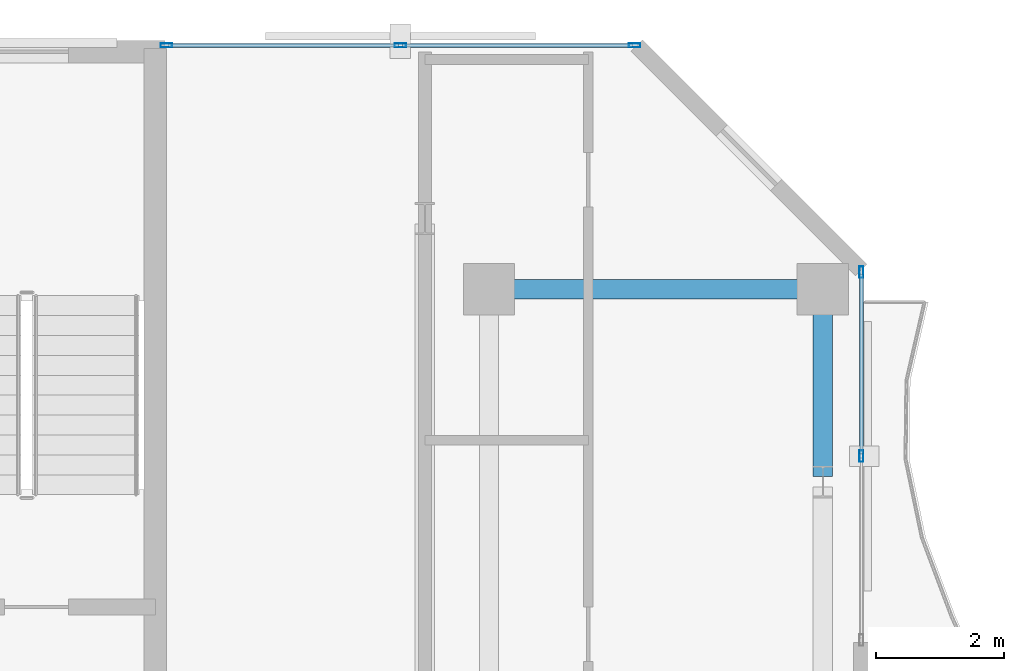
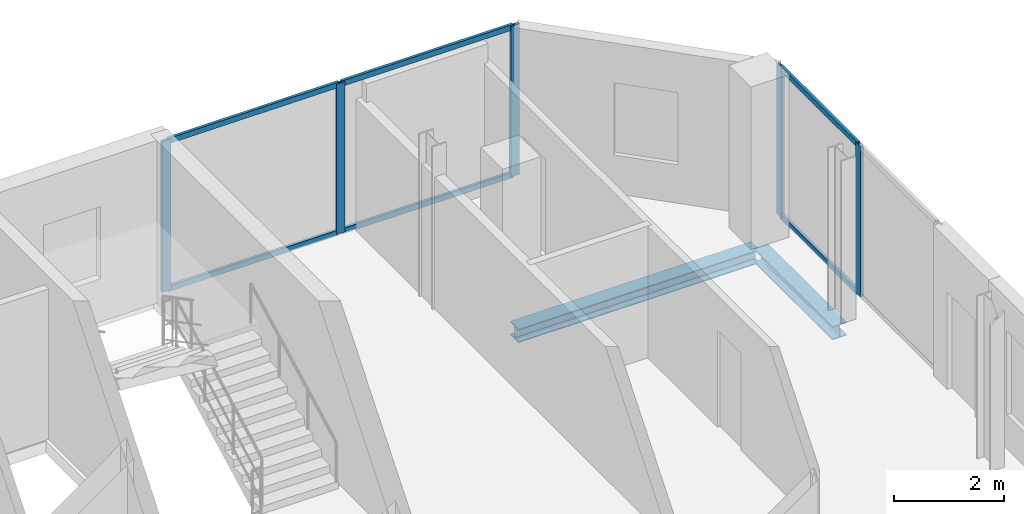
# One storey, part 16 of 23: 11 members, 2 beams, 2 elements without a shape of their own.
"""IFC4 building model written with IfcOpenShell, lengths in metres."""

from ifc_helpers import new_model, si_unit, direction, frame, origin, origin_2d, place, context, subcontext, project, spatial, hollow_rectangle, i_section, extrude, material, layer, layer_set, material_profile, profile_set, type_object, element, aggregate, save


model = new_model("IFC4")

# Units and contexts
model_context = context("Model", 3, precision=1e-05, world=origin(), true_north=direction((0.0, 1.0)))
body_context = subcontext(model_context, "Body", "Model", "MODEL_VIEW")
ifc_project = project(units=[si_unit("LENGTHUNIT", "METRE"), si_unit("AREAUNIT", "SQUARE_METRE"), si_unit("VOLUMEUNIT", "CUBIC_METRE"), si_unit("PLANEANGLEUNIT", "RADIAN"), si_unit("MASSUNIT", "GRAM", prefix="KILO")], contexts=[model_context])

# Site, building, storey
site_placement = place(None, origin())
site = spatial("IfcSite", under=ifc_project, at=site_placement, CompositionType="ELEMENT")
building_placement = place(site_placement, origin())
building = spatial("IfcBuilding", under=site, at=building_placement, Name="Catumbela Crestline Tower", CompositionType="ELEMENT")
storey_placement = place(building_placement, frame((0.0, 0.0, 190.2)))
storey = spatial("IfcBuildingStorey", under=building, at=storey_placement, Name="L49", CompositionType="ELEMENT", Elevation=190.2)

# Curtain wall, members
ifc_material_1 = material(Name="Aluminium alloy AW-6060-T66", Category="aluminium")
ifc_layer = layer(ifc_material_1, 0.18, Name="Aluminium alloy AW-6060-T66")
ifc_layer_set = layer_set([ifc_layer], Name="Aluminium alloy AW-6060-T66")
curtain_wall_type = type_object("IfcCurtainWallType", Name="CWU-Z3", PredefinedType="USERDEFINED", material=ifc_layer_set)
curtain_wall_1_placement = place(storey_placement, origin())
curtain_wall_1 = element("IfcCurtainWall", 1, at=curtain_wall_1_placement, inside=storey, type_object=curtain_wall_type, Name="L49 Unitised Curtain Wall CW-L49-E5S2", ObjectType="UNITISED", PredefinedType="USERDEFINED")
ifc_material_profile_1 = material_profile(ifc_material_1, hollow_rectangle(XDim=0.065, YDim=0.18, WallThickness=0.004, at=origin_2d()), Name="ALU 180x65x4")
ifc_profile_set_1 = profile_set([ifc_material_profile_1], Name="Aluminium alloy AW-6060-T66")
member_type_1 = type_object("IfcMemberType", Name="MUL-180X65", PredefinedType="MULLION", material=ifc_profile_set_1)
member_1_placement = place(storey_placement, frame((51.0, 36.6, 0.0), z_axis=(0.0, 0.0, 1.0), x_axis=(-1.0, 0.0, 0.0)))
member_1 = element("IfcMember", 2, at=member_1_placement, type_object=member_type_1, Name="CWU-Z3 mullion 2", PredefinedType="MULLION", context=body_context, shape_type="SweptSolid", body=[
    extrude(hollow_rectangle(XDim=0.065, YDim=0.18, WallThickness=0.004, at=origin_2d()), origin(), (0.0, 0.0, 1.0), 3.33),
])
member_2_placement = place(storey_placement, frame((51.0, 39.4675, 0.0), z_axis=(0.0, 0.0, 1.0), x_axis=(-1.0, 0.0, 0.0)))
member_2 = element("IfcMember", 3, at=member_2_placement, type_object=member_type_1, Name="CWU-Z3 mullion 3", PredefinedType="MULLION", context=body_context, shape_type="SweptSolid", body=[
    extrude(hollow_rectangle(XDim=0.065, YDim=0.18, WallThickness=0.004, at=origin_2d()), origin(), (0.0, 0.0, 1.0), 3.33),
])

curtain_wall_2_placement = place(storey_placement, origin())
curtain_wall_2 = element("IfcCurtainWall", 4, at=curtain_wall_2_placement, inside=storey, type_object=curtain_wall_type, Name="L49 Unitised Curtain Wall CW-L49-E7S1", ObjectType="UNITISED", PredefinedType="USERDEFINED")
member_3_placement = place(storey_placement, frame((47.4675, 43.0, 0.0), z_axis=(0.0, 0.0, 1.0), x_axis=(0.0, -1.0, 0.0)))
member_3 = element("IfcMember", 5, at=member_3_placement, type_object=member_type_1, Name="CWU-Z3 mullion 1", PredefinedType="MULLION", context=body_context, shape_type="SweptSolid", body=[
    extrude(hollow_rectangle(XDim=0.065, YDim=0.18, WallThickness=0.004, at=origin_2d()), origin(), (0.0, 0.0, 1.0), 3.33),
])
member_4_placement = place(storey_placement, frame((43.82, 43.0, 0.0), z_axis=(0.0, 0.0, 1.0), x_axis=(0.0, -1.0, 0.0)))
member_4 = element("IfcMember", 6, at=member_4_placement, type_object=member_type_1, Name="CWU-Z3 mullion 2", PredefinedType="MULLION", context=body_context, shape_type="SweptSolid", body=[
    extrude(hollow_rectangle(XDim=0.065, YDim=0.18, WallThickness=0.004, at=origin_2d()), origin(), (0.0, 0.0, 1.0), 3.33),
])
member_5_placement = place(storey_placement, frame((40.1725, 43.0, 0.0), z_axis=(0.0, 0.0, 1.0), x_axis=(0.0, -1.0, 0.0)))
member_5 = element("IfcMember", 7, at=member_5_placement, type_object=member_type_1, Name="CWU-Z3 mullion 3", PredefinedType="MULLION", context=body_context, shape_type="SweptSolid", body=[
    extrude(hollow_rectangle(XDim=0.065, YDim=0.18, WallThickness=0.004, at=origin_2d()), origin(), (0.0, 0.0, 1.0), 3.33),
])

# Beams
ifc_material_2 = material(Name="Structural steel S355J2", Category="steel")
ifc_material_profile_2 = material_profile(ifc_material_2, i_section(OverallWidth=0.3, OverallDepth=0.3, WebThickness=0.011, FlangeThickness=0.019, FilletRadius=0.027, at=origin_2d()), Name="HEB 300")
ifc_profile_set_2 = profile_set([ifc_material_profile_2], Name="Structural steel S355J2")
beam_type = type_object("IfcBeamType", Name="BS-HEB300", PredefinedType="SPANDREL", material=ifc_profile_set_2)
beam_1_placement = place(storey_placement, frame((45.28, 39.2, -0.41), z_axis=(1.0, 0.0, 0.0), x_axis=(0.0, 1.0, 0.0)))
element("IfcBeam", 8, at=beam_1_placement, inside=storey, type_object=beam_type, Name="L49 Spandrel SP-L49-N13", PredefinedType="SPANDREL", context=body_context, shape_type="SweptSolid", body=[
    extrude(i_section(OverallWidth=0.3, OverallDepth=0.3, WebThickness=0.011, FlangeThickness=0.019, FilletRadius=0.027, at=origin_2d()), origin(), (0.0, 0.0, 1.0), 5.04),
])
beam_2_placement = place(storey_placement, frame((50.4, 36.28, -0.41), z_axis=(0.0, 1.0, 0.0), x_axis=(-1.0, 0.0, 0.0)))
element("IfcBeam", 9, at=beam_2_placement, inside=storey, type_object=beam_type, Name="L49 Spandrel SP-L49-SN25", PredefinedType="SPANDREL", context=body_context, shape_type="SweptSolid", body=[
    extrude(i_section(OverallWidth=0.3, OverallDepth=0.3, WebThickness=0.011, FlangeThickness=0.019, FilletRadius=0.027, at=origin_2d()), origin(), (0.0, 0.0, 1.0), 2.84),
])

# Member
ifc_material_profile_3 = material_profile(ifc_material_1, hollow_rectangle(XDim=0.06, YDim=0.12, WallThickness=0.0035, at=origin_2d()), Name="ALU 120x60x3.5")
ifc_profile_set_3 = profile_set([ifc_material_profile_3], Name="Aluminium alloy AW-6060-T66")
member_type_2 = type_object("IfcMemberType", Name="TRN-120X60", PredefinedType="USERDEFINED", material=ifc_profile_set_3)
member_6_placement = place(storey_placement, frame((51.0, 36.6325, 0.03), z_axis=(0.0, 1.0, 0.0), x_axis=(-1.0, 0.0, 0.0)))
member_6 = element("IfcMember", 10, at=member_6_placement, type_object=member_type_2, Name="CWU-Z3 transom 2.1", ObjectType="TRANSOM", PredefinedType="USERDEFINED", context=body_context, shape_type="SweptSolid", body=[
    extrude(hollow_rectangle(XDim=0.06, YDim=0.12, WallThickness=0.0035, at=origin_2d()), origin(), (0.0, 0.0, 1.0), 2.8025),
])

member_7_placement = place(storey_placement, frame((51.0, 36.6325, 3.3), z_axis=(0.0, 1.0, 0.0), x_axis=(-1.0, 0.0, 0.0)))
member_7 = element("IfcMember", 11, at=member_7_placement, type_object=member_type_2, Name="CWU-Z3 transom 2.2", ObjectType="TRANSOM", PredefinedType="USERDEFINED", context=body_context, shape_type="SweptSolid", body=[
    extrude(hollow_rectangle(XDim=0.06, YDim=0.12, WallThickness=0.0035, at=origin_2d()), origin(), (0.0, 0.0, 1.0), 2.8025),
])

aggregate(curtain_wall_1, [member_1, member_2, member_6, member_7])

member_8_placement = place(storey_placement, frame((47.435, 43.0, 0.03), z_axis=(-1.0, 0.0, 0.0), x_axis=(0.0, -1.0, 0.0)))
member_8 = element("IfcMember", 12, at=member_8_placement, type_object=member_type_2, Name="CWU-Z3 transom 1.1", ObjectType="TRANSOM", PredefinedType="USERDEFINED", context=body_context, shape_type="SweptSolid", body=[
    extrude(hollow_rectangle(XDim=0.06, YDim=0.12, WallThickness=0.0035, at=origin_2d()), origin(), (0.0, 0.0, 1.0), 3.5825),
])

member_9_placement = place(storey_placement, frame((47.435, 43.0, 3.3), z_axis=(-1.0, 0.0, 0.0), x_axis=(0.0, -1.0, 0.0)))
member_9 = element("IfcMember", 13, at=member_9_placement, type_object=member_type_2, Name="CWU-Z3 transom 1.2", ObjectType="TRANSOM", PredefinedType="USERDEFINED", context=body_context, shape_type="SweptSolid", body=[
    extrude(hollow_rectangle(XDim=0.06, YDim=0.12, WallThickness=0.0035, at=origin_2d()), origin(), (0.0, 0.0, 1.0), 3.5825),
])

member_10_placement = place(storey_placement, frame((43.7875, 43.0, 0.03), z_axis=(-1.0, 0.0, 0.0), x_axis=(0.0, -1.0, 0.0)))
member_10 = element("IfcMember", 14, at=member_10_placement, type_object=member_type_2, Name="CWU-Z3 transom 2.1", ObjectType="TRANSOM", PredefinedType="USERDEFINED", context=body_context, shape_type="SweptSolid", body=[
    extrude(hollow_rectangle(XDim=0.06, YDim=0.12, WallThickness=0.0035, at=origin_2d()), origin(), (0.0, 0.0, 1.0), 3.5825),
])

member_11_placement = place(storey_placement, frame((43.7875, 43.0, 3.3), z_axis=(-1.0, 0.0, 0.0), x_axis=(0.0, -1.0, 0.0)))
member_11 = element("IfcMember", 15, at=member_11_placement, type_object=member_type_2, Name="CWU-Z3 transom 2.2", ObjectType="TRANSOM", PredefinedType="USERDEFINED", context=body_context, shape_type="SweptSolid", body=[
    extrude(hollow_rectangle(XDim=0.06, YDim=0.12, WallThickness=0.0035, at=origin_2d()), origin(), (0.0, 0.0, 1.0), 3.5825),
])

aggregate(curtain_wall_2, [member_3, member_4, member_5, member_8, member_9, member_10, member_11])

save(model, "model.ifc")
